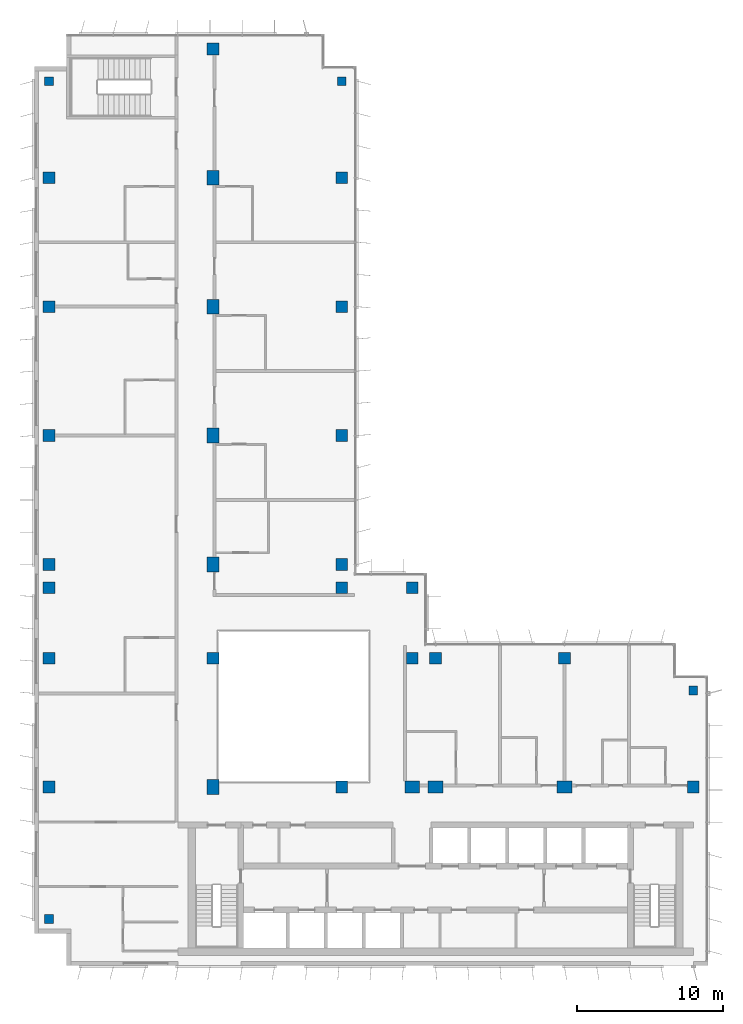
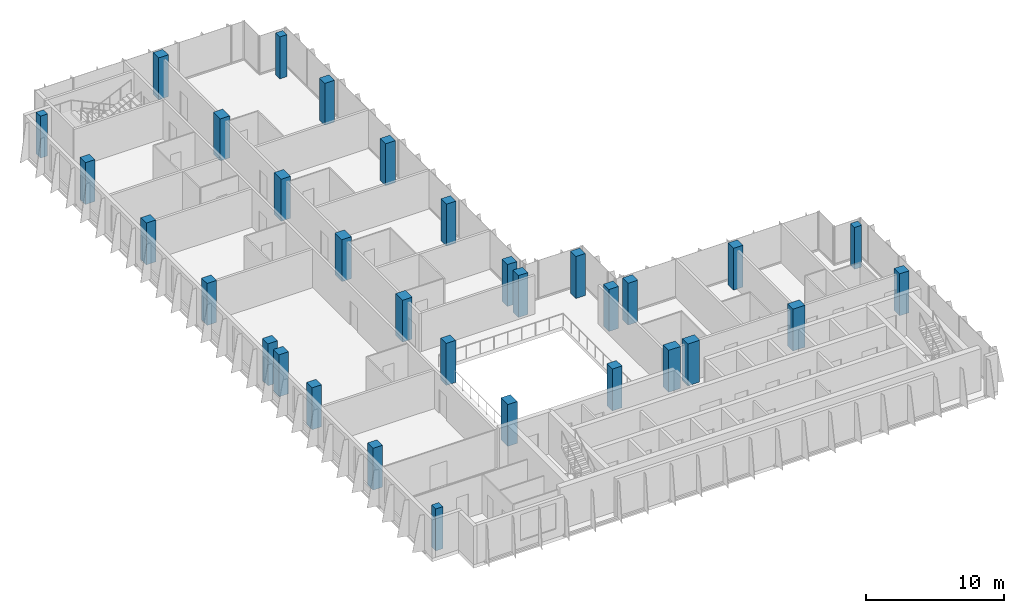
# One storey, part 1 of 15: 32 columns.
"""IFC4 building model written with IfcOpenShell, lengths in metres."""

from ifc_helpers import new_model, si_unit, direction, frame, origin, origin_2d, place, context, subcontext, project, spatial, rectangle, extrude, material, material_profile, profile_set, type_object, element, save


model = new_model("IFC4")

# Units and contexts
model_context = context("Model", 3, precision=1e-05, world=origin(), true_north=direction((0.0, 1.0)))
body_context = subcontext(model_context, "Body", "Model", "MODEL_VIEW")
ifc_project = project(units=[si_unit("LENGTHUNIT", "METRE"), si_unit("AREAUNIT", "SQUARE_METRE"), si_unit("VOLUMEUNIT", "CUBIC_METRE"), si_unit("PLANEANGLEUNIT", "RADIAN"), si_unit("MASSUNIT", "GRAM", prefix="KILO")], contexts=[model_context])

# Site, building, storey
site_placement = place(None, origin())
site = spatial("IfcSite", under=ifc_project, at=site_placement, CompositionType="ELEMENT")
building_placement = place(site_placement, origin())
building = spatial("IfcBuilding", under=site, at=building_placement, Name="Kemantara Hotel Tower", CompositionType="ELEMENT")
storey_placement = place(building_placement, frame((0.0, 0.0, 290.699951171875)))
storey = spatial("IfcBuildingStorey", under=building, at=storey_placement, Name="L73", CompositionType="ELEMENT", Elevation=290.699951171875)

# Columns
ifc_material = material(Name="Concrete fc 50 MPa", Category="concrete")
ifc_material_profile_1 = material_profile(ifc_material, rectangle(XDim=1.0, YDim=0.800048828125, at=origin_2d()), Name="RC 1000X800")
ifc_profile_set_1 = profile_set([ifc_material_profile_1], Name="Concrete fc 50 MPa")
column_type_1 = type_object("IfcColumnType", Name="RC COLUMN 1000X800 FC50", PredefinedType="COLUMN", material=ifc_profile_set_1)
for number, where, z_axis, x_axis, name in (
    (1, (12.199951171875, 12.199951171875, 0.0), (0.0, 0.0, 1.0), (0.0, 1.0, 0.0), "COLUMN 2A/BA L73"),
    (2, (12.199951171875, 27.39990234375, 0.0), (0.0, 0.0, 1.0), (0.0, 1.0, 0.0), "COLUMN 2A/D L73"),
    (3, (12.199951171875, 36.199951171875, 0.0), (0.0, 0.0, 1.0), (0.0, 1.0, 0.0), "COLUMN 2A/E L73"),
    (4, (12.199951171875, 45.0, 0.0), (0.0, 0.0, 1.0), (0.0, 1.0, 0.0), "COLUMN 2A/F L73"),
    (5, (12.199951171875, 53.800048828125, 0.0), (0.0, 0.0, 1.0), (0.0, 1.0, 0.0), "COLUMN 2A/G L73"),
    (6, (25.800048828125, 12.199951171875, 0.0), (0.0, 0.0, 1.0), (1.0, 0.0, 0.0), "COLUMN 3A/BA L73"),
    (7, (27.39990234375, 12.199951171875, 0.0), (0.0, 0.0, 1.0), (1.0, 0.0, 0.0), "COLUMN 4/BA L73"),
    (8, (36.199951171875, 12.199951171875, 0.0), (0.0, 0.0, 1.0), (1.0, 0.0, 0.0), "COLUMN 5/BA L73"),
):
    element("IfcColumn", number, at=place(storey_placement, frame(where, z_axis=z_axis, x_axis=x_axis)), inside=storey, type_object=column_type_1, Name=name, PredefinedType="COLUMN", context=body_context, shape_type="SweptSolid", body=[
        extrude(rectangle(XDim=1.0, YDim=0.800048828125, at=origin_2d()), origin(), (0.0, 0.0, 1.0), 3.699951171875),
    ])
ifc_material_profile_2 = material_profile(ifc_material, rectangle(XDim=0.60009765625, YDim=0.60009765625, at=origin_2d()), Name="RC 600X600")
ifc_profile_set_2 = profile_set([ifc_material_profile_2], Name="Concrete fc 50 MPa")
column_type_2 = type_object("IfcColumnType", Name="RC COLUMN 600X600 FC50", PredefinedType="COLUMN", material=ifc_profile_set_2)
for number, where, z_axis, x_axis, name in (
    (9, (1.0, 3.199951171875, 0.0), (0.0, 0.0, 1.0), (1.0, 0.0, 0.0), "COLUMN notch corner L73"),
    (10, (1.0, 60.39990234375, 0.0), (0.0, 0.0, 1.0), (1.0, 0.0, 0.0), "COLUMN notch corner L73"),
    (11, (21.0, 60.39990234375, 0.0), (0.0, 0.0, 1.0), (1.0, 0.0, 0.0), "COLUMN notch corner L73"),
    (12, (45.0, 18.800048828125, 0.0), (0.0, 0.0, 1.0), (1.0, 0.0, 0.0), "COLUMN notch corner L73"),
):
    element("IfcColumn", number, at=place(storey_placement, frame(where, z_axis=z_axis, x_axis=x_axis)), inside=storey, type_object=column_type_2, Name=name, PredefinedType="COLUMN", context=body_context, shape_type="SweptSolid", body=[
        extrude(rectangle(XDim=0.60009765625, YDim=0.60009765625, at=origin_2d()), origin(), (0.0, 0.0, 1.0), 3.699951171875),
    ])
ifc_material_profile_3 = material_profile(ifc_material, rectangle(XDim=0.800048828125, YDim=0.800048828125, at=origin_2d()), Name="RC 800X800")
ifc_profile_set_3 = profile_set([ifc_material_profile_3], Name="Concrete fc 50 MPa")
column_type_3 = type_object("IfcColumnType", Name="RC COLUMN 800X800 FC50", PredefinedType="COLUMN", material=ifc_profile_set_3)
for number, where, z_axis, x_axis, name in (
    (13, (1.0, 12.199951171875, 0.0), (0.0, 0.0, 1.0), (1.0, 0.0, 0.0), "COLUMN 1/BA L73"),
    (14, (1.0, 21.0, 0.0), (0.0, 0.0, 1.0), (1.0, 0.0, 0.0), "COLUMN 1/C L73"),
    (15, (1.0, 25.800048828125, 0.0), (0.0, 0.0, 1.0), (1.0, 0.0, 0.0), "COLUMN 1/CA L73"),
    (16, (1.0, 27.39990234375, 0.0), (0.0, 0.0, 1.0), (1.0, 0.0, 0.0), "COLUMN 1/D L73"),
    (17, (1.0, 36.199951171875, 0.0), (0.0, 0.0, 1.0), (1.0, 0.0, 0.0), "COLUMN 1/E L73"),
    (18, (1.0, 45.0, 0.0), (0.0, 0.0, 1.0), (1.0, 0.0, 0.0), "COLUMN 1/F L73"),
    (19, (1.0, 53.800048828125, 0.0), (0.0, 0.0, 1.0), (1.0, 0.0, 0.0), "COLUMN 1/G L73"),
    (20, (12.199951171875, 21.0, 0.0), (0.0, 0.0, 1.0), (1.0, 0.0, 0.0), "COLUMN 2A/C L73"),
    (21, (12.199951171875, 62.60009765625, 0.0), (0.0, 0.0, 1.0), (1.0, 0.0, 0.0), "COLUMN 2A/H L73"),
    (22, (21.0, 12.199951171875, 0.0), (0.0, 0.0, 1.0), (1.0, 0.0, 0.0), "COLUMN 3/BA L73"),
    (23, (21.0, 25.800048828125, 0.0), (0.0, 0.0, 1.0), (1.0, 0.0, 0.0), "COLUMN 3/CA L73"),
    (24, (21.0, 27.39990234375, 0.0), (0.0, 0.0, 1.0), (1.0, 0.0, 0.0), "COLUMN 3/D L73"),
    (25, (21.0, 36.199951171875, 0.0), (0.0, 0.0, 1.0), (1.0, 0.0, 0.0), "COLUMN 3/E L73"),
    (26, (21.0, 45.0, 0.0), (0.0, 0.0, 1.0), (1.0, 0.0, 0.0), "COLUMN 3/F L73"),
    (27, (21.0, 53.800048828125, 0.0), (0.0, 0.0, 1.0), (1.0, 0.0, 0.0), "COLUMN 3/G L73"),
    (28, (25.800048828125, 21.0, 0.0), (0.0, 0.0, 1.0), (1.0, 0.0, 0.0), "COLUMN 3A/C L73"),
    (29, (25.800048828125, 25.800048828125, 0.0), (0.0, 0.0, 1.0), (1.0, 0.0, 0.0), "COLUMN 3A/CA L73"),
    (30, (27.39990234375, 21.0, 0.0), (0.0, 0.0, 1.0), (1.0, 0.0, 0.0), "COLUMN 4/C L73"),
    (31, (36.199951171875, 21.0, 0.0), (0.0, 0.0, 1.0), (1.0, 0.0, 0.0), "COLUMN 5/C L73"),
    (32, (45.0, 12.199951171875, 0.0), (0.0, 0.0, 1.0), (1.0, 0.0, 0.0), "COLUMN 6/BA L73"),
):
    element("IfcColumn", number, at=place(storey_placement, frame(where, z_axis=z_axis, x_axis=x_axis)), inside=storey, type_object=column_type_3, Name=name, PredefinedType="COLUMN", context=body_context, shape_type="SweptSolid", body=[
        extrude(rectangle(XDim=0.800048828125, YDim=0.800048828125, at=origin_2d()), origin(), (0.0, 0.0, 1.0), 3.699951171875),
    ])

save(model, "model.ifc")
